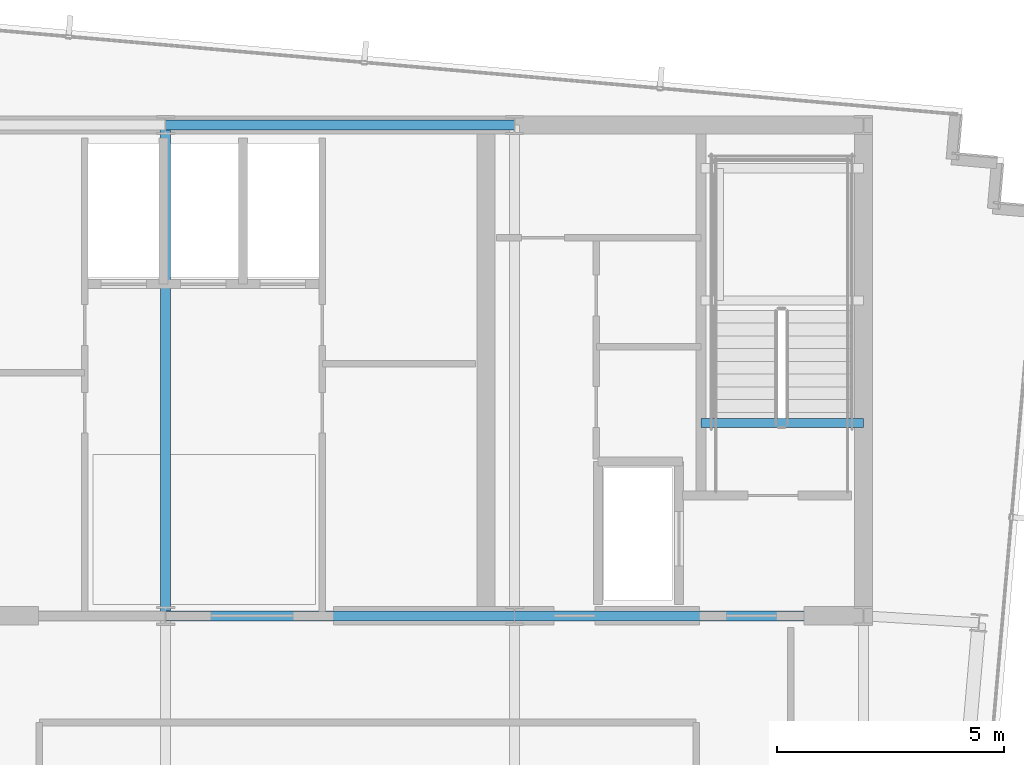
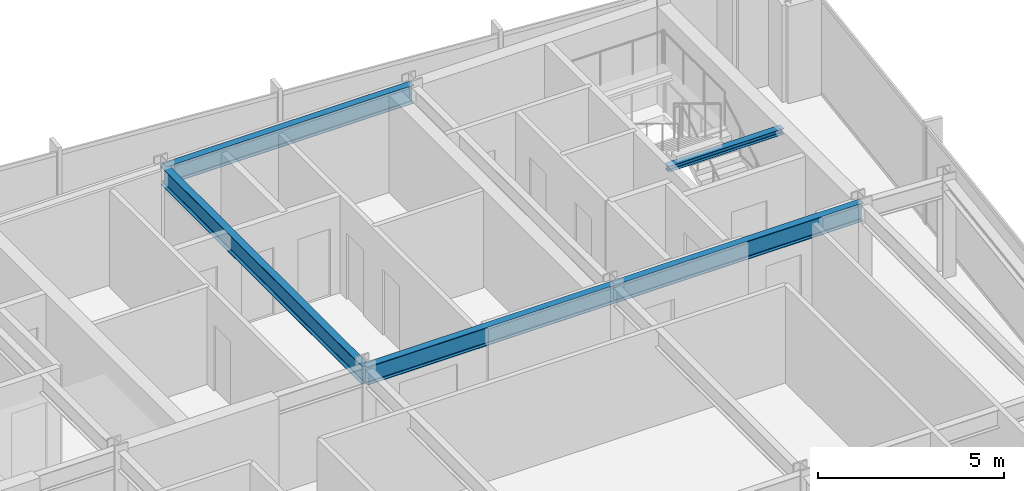
# One storey, part 18 of 32: 5 beams.
"""IFC4 building model written with IfcOpenShell, lengths in metres."""

from ifc_helpers import new_model, si_unit, direction, frame, origin, origin_2d, place, context, subcontext, project, spatial, i_section, extrude, material, material_profile, profile_set, type_object, element, save


model = new_model("IFC4")

# Units and contexts
model_context = context("Model", 3, precision=1e-05, world=origin(), true_north=direction((0.0, 1.0)))
body_context = subcontext(model_context, "Body", "Model", "MODEL_VIEW")
ifc_project = project(units=[si_unit("LENGTHUNIT", "METRE"), si_unit("AREAUNIT", "SQUARE_METRE"), si_unit("VOLUMEUNIT", "CUBIC_METRE"), si_unit("PLANEANGLEUNIT", "RADIAN"), si_unit("MASSUNIT", "GRAM", prefix="KILO")], contexts=[model_context])

# Site, building, storey
site_placement = place(None, origin())
site = spatial("IfcSite", under=ifc_project, at=site_placement, CompositionType="ELEMENT")
building_placement = place(site_placement, origin())
building = spatial("IfcBuilding", under=site, at=building_placement, Name="Yelkora Congress Tower", CompositionType="ELEMENT")
storey_placement = place(building_placement, frame((0.0, 0.0, 276.10009765625)))
storey = spatial("IfcBuildingStorey", under=building, at=storey_placement, Name="L77", CompositionType="ELEMENT", Elevation=276.10009765625)

# Beams
ifc_material = material(Name="Steel S355J2", Category="steel")
ifc_material_profile_1 = material_profile(ifc_material, i_section(OverallWidth=0.219970703125, OverallDepth=0.60009765625, WebThickness=0.011962890625, FlangeThickness=0.01904296875, FilletRadius=0.02392578125, at=origin_2d()), Name="IPE 600")
ifc_profile_set_1 = profile_set([ifc_material_profile_1], Name="Steel S355J2")
beam_type_1 = type_object("IfcBeamType", Name="BM-GIRD-IPE600", PredefinedType="BEAM", material=ifc_profile_set_1)
for number, where, z_axis, x_axis, name in (
    (1, (38.39990234375, 46.199951171875, 2.8798828125), (1.0, 0.0, 0.0), (0.0, 1.0, 0.0), "L77 Core North Girder 3"),
    (2, (38.39990234375, 35.39990234375, 2.8798828125), (1.0, 0.0, 0.0), (0.0, 1.0, 0.0), "L77 Core South Girder 3"),
):
    element("IfcBeam", number, at=place(storey_placement, frame(where, z_axis=z_axis, x_axis=x_axis)), inside=storey, type_object=beam_type_1, Name=name, PredefinedType="BEAM", context=body_context, shape_type="SweptSolid", body=[
        extrude(i_section(OverallWidth=0.219970703125, OverallDepth=0.60009765625, WebThickness=0.011962890625, FlangeThickness=0.01904296875, FilletRadius=0.02392578125, at=origin_2d()), origin(), (0.0, 0.0, 1.0), 7.68017578125),
    ])
beam_1_placement = place(storey_placement, frame((46.080078125, 35.39990234375, 2.8798828125), z_axis=(1.0, 0.0, 0.0), x_axis=(0.0, 1.0, 0.0)))
element("IfcBeam", 3, at=beam_1_placement, inside=storey, type_object=beam_type_1, Name="L77 Core South Girder 4", PredefinedType="BEAM", context=body_context, shape_type="SweptSolid", body=[
    extrude(i_section(OverallWidth=0.219970703125, OverallDepth=0.60009765625, WebThickness=0.011962890625, FlangeThickness=0.01904296875, FilletRadius=0.02392578125, at=origin_2d()), origin(), (0.0, 0.0, 1.0), 7.679931640625),
])
beam_2_placement = place(storey_placement, frame((38.39990234375, 35.39990234375, 2.8798828125), z_axis=(0.0, 1.0, 0.0), x_axis=(-1.0, 0.0, 0.0)))
element("IfcBeam", 4, at=beam_2_placement, inside=storey, type_object=beam_type_1, Name="L77 Core Tie Girder MC-S3", PredefinedType="BEAM", context=body_context, shape_type="SweptSolid", body=[
    extrude(i_section(OverallWidth=0.219970703125, OverallDepth=0.60009765625, WebThickness=0.011962890625, FlangeThickness=0.01904296875, FilletRadius=0.02392578125, at=origin_2d()), origin(), (0.0, 0.0, 1.0), 10.800048828125),
])
ifc_material_profile_2 = material_profile(ifc_material, i_section(OverallWidth=0.199951171875, OverallDepth=0.18994140625, WebThickness=0.006591796875, FlangeThickness=0.010009765625, FilletRadius=0.01806640625, at=origin_2d()), Name="HEA 200")
ifc_profile_set_2 = profile_set([ifc_material_profile_2], Name="Steel S355J2")
beam_type_2 = type_object("IfcBeamType", Name="BM-LAND-HEA200", PredefinedType="BEAM", material=ifc_profile_set_2)
beam_3_placement = place(storey_placement, frame((50.179931640625, 39.639892578125, 2.947265625), z_axis=(1.0, 0.0, 0.0), x_axis=(0.0, 1.0, 0.0)))
element("IfcBeam", 5, at=beam_3_placement, inside=storey, type_object=beam_type_2, Name="ST-02 L77 Floor Arrival Stringer Header Beam", PredefinedType="BEAM", context=body_context, shape_type="SweptSolid", body=[
    extrude(i_section(OverallWidth=0.199951171875, OverallDepth=0.18994140625, WebThickness=0.006591796875, FlangeThickness=0.010009765625, FilletRadius=0.01806640625, at=origin_2d()), origin(), (0.0, 0.0, 1.0), 3.580078125),
])

save(model, "model.ifc")
